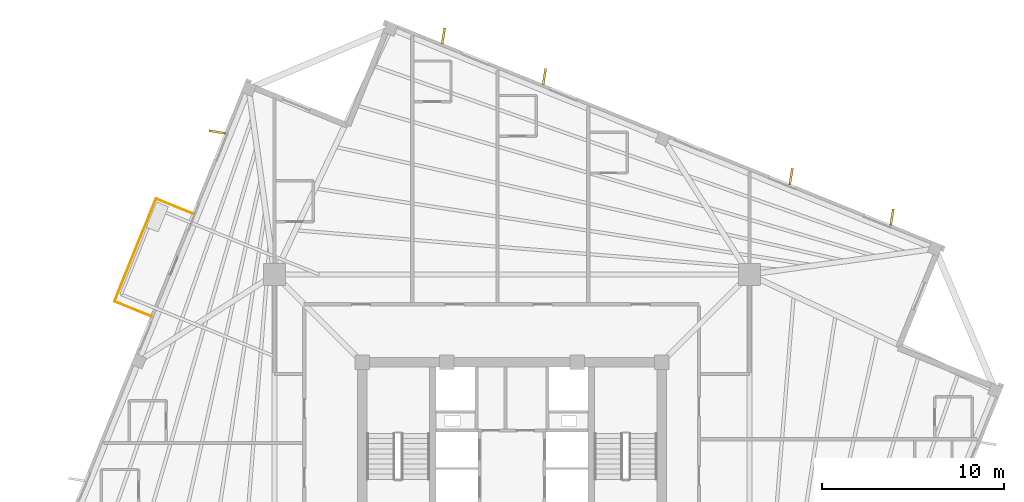
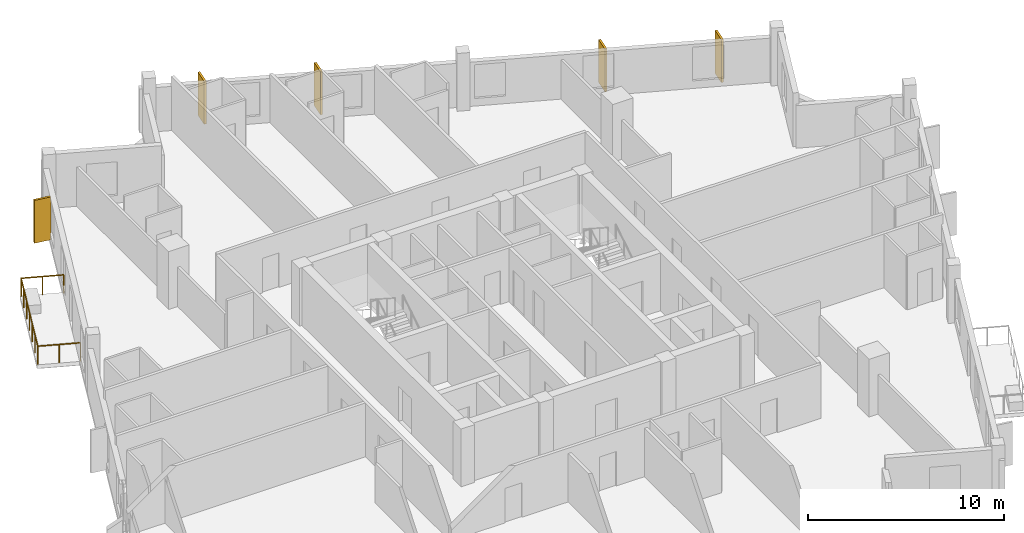
# One storey, part 9 of 9: 5 coverings, 3 railings.
"""IFC4 building model written with IfcOpenShell, lengths in metres."""

import ifcopenshell
import ifcopenshell.guid

model = None  # the IFC model being written
_history = None  # IfcOwnerHistory: only IFC2X3 demands one
_inside = {}  # id of a spatial element -> (the spatial element, [elements in it])
_under = {}  # id of a project, library or spatial element -> (it, [spatial elements below it])
_declared = {}  # id of a project -> (the project, [libraries it declares])
_typed = {}  # id of a type object -> (the type object, [elements of that type])
_made_of = {}  # id of a material, layer set ... -> (it, [elements and type objects made of it])


def new_model(schema):
    """Start an empty IFC model of exactly this schema.

    Asked for "IFC4X3", IfcOpenShell would pick the latest addendum, in which some entities
    have other attributes; the version numbers below select the first issue.
    IFC2X3 requires an IfcOwnerHistory on every rooted entity: one is made here for all.
    """
    global model, _history
    if schema == "IFC4X3":
        model = ifcopenshell.file(schema_version=(4, 3, 0, 0))
    else:
        model = ifcopenshell.file(schema=schema)
    _inside.clear()
    _under.clear()
    _declared.clear()
    _typed.clear()
    _made_of.clear()
    _history = None
    if model.schema == "IFC2X3":
        org = make("IfcOrganization", Name="unknown")
        user = make(
            "IfcPersonAndOrganization",
            ThePerson=make("IfcPerson", FamilyName="unknown"),
            TheOrganization=org,
        )
        app = make(
            "IfcApplication",
            ApplicationDeveloper=org,
            Version="unknown",
            ApplicationFullName="unknown",
            ApplicationIdentifier="unknown",
        )
        _history = make(
            "IfcOwnerHistory",
            OwningUser=user,
            OwningApplication=app,
            ChangeAction="ADDED",
            CreationDate=0,
        )
    return model


def make(cls, **values):
    """One entity of the class cls with the attributes given. An attribute that is None is left unset."""
    return model.create_entity(
        cls, **{name: value for name, value in values.items() if value is not None}
    )


def rooted(cls, **values):
    """An entity with a GlobalId (a new one), such as an element, a storey or a relation."""
    return make(cls, GlobalId=ifcopenshell.guid.new(), OwnerHistory=_history, **values)


def si_unit(unit_type, name, prefix=None):
    """IfcSIUnit, for example si_unit("LENGTHUNIT", "METRE", prefix="MILLI")."""
    return make("IfcSIUnit", UnitType=unit_type, Prefix=prefix, Name=name)


def assignment(units):
    """IfcUnitAssignment: the units of a project."""
    return None if units is None else make("IfcUnitAssignment", Units=units)


def point(xyz):
    """IfcCartesianPoint."""
    return None if xyz is None else make("IfcCartesianPoint", Coordinates=xyz)


def direction(xyz):
    """IfcDirection."""
    return None if xyz is None else make("IfcDirection", DirectionRatios=xyz)


def frame(location, z_axis=None, x_axis=None):
    """IfcAxis2Placement3D, a coordinate frame: its origin and axes. An axis left out is left unset."""
    return make(
        "IfcAxis2Placement3D",
        Location=point(location),
        Axis=direction(z_axis),
        RefDirection=direction(x_axis),
    )


def frame_2d(location, x_axis=None):
    """IfcAxis2Placement2D, a coordinate frame in the plane: its origin and x axis."""
    return make(
        "IfcAxis2Placement2D", Location=point(location), RefDirection=direction(x_axis)
    )


def origin():
    """The frame at (0, 0, 0) with its axes left unset."""
    return frame((0.0, 0.0, 0.0))


def origin_2d():
    """The frame at (0, 0) in the plane with its x axis left unset."""
    return frame_2d((0.0, 0.0))


def place(relative_to, where):
    """IfcLocalPlacement: puts the frame where relative to a parent placement (None: the world)."""
    return make(
        "IfcLocalPlacement", PlacementRelTo=relative_to, RelativePlacement=where
    )


def context(
    kind, dimensions, precision=None, world=None, true_north=None, identifier=None
):
    """IfcGeometricRepresentationContext, for example the 3D "Model" context."""
    return make(
        "IfcGeometricRepresentationContext",
        ContextIdentifier=identifier,
        ContextType=kind,
        CoordinateSpaceDimension=dimensions,
        Precision=precision,
        WorldCoordinateSystem=world,
        TrueNorth=true_north,
    )


def subcontext(parent, identifier, kind, view, scale=None):
    """IfcGeometricRepresentationSubContext, for example "Body" below "Model"."""
    return make(
        "IfcGeometricRepresentationSubContext",
        ContextIdentifier=identifier,
        ContextType=kind,
        ParentContext=parent,
        TargetScale=scale,
        TargetView=view,
    )


def project(units=None, contexts=None):
    """IfcProject with its units and contexts."""
    return rooted(
        "IfcProject",
        Name="project",
        RepresentationContexts=contexts,
        UnitsInContext=assignment(units),
    )


def spatial(cls, under=None, at=None, **own):
    """A site, building, storey or space (cls), placed at a placement, below another one or the project."""
    s = rooted(cls, ObjectPlacement=at, **own)
    if under is not None:
        _under.setdefault(under.id(), (under, []))[1].append(s)
    return s


def profile(cls, at=None, kind="AREA", **sizes):
    """A parametric profile (cls). Its sizes go by their IFC names, for example OverallWidth=200.0."""
    return make(cls, ProfileType=kind, Position=at, **sizes)


def rectangle(**sizes):
    """IfcRectangleProfileDef."""
    return profile("IfcRectangleProfileDef", **sizes)


def circle(**sizes):
    """IfcCircleProfileDef."""
    return profile("IfcCircleProfileDef", **sizes)


def extrude(swept, where, along, depth):
    """IfcExtrudedAreaSolid: the profile swept, set in the frame where, extruded along a direction by depth."""
    return make(
        "IfcExtrudedAreaSolid",
        SweptArea=swept,
        Position=where,
        ExtrudedDirection=direction(along),
        Depth=depth,
    )


def shape(context_of_items, identifier, shape_type, items):
    """IfcShapeRepresentation: the items that make up one representation, for example the "Body"."""
    return make(
        "IfcShapeRepresentation",
        ContextOfItems=context_of_items,
        RepresentationIdentifier=identifier,
        RepresentationType=shape_type,
        Items=items,
    )


def source(mapping_origin, context_of_items, identifier, shape_type, items):
    """IfcRepresentationMap: a shape defined once, which mapped items show again and again."""
    return make(
        "IfcRepresentationMap",
        MappingOrigin=mapping_origin,
        MappedRepresentation=shape(context_of_items, identifier, shape_type, items),
    )


def transform(
    local_origin,
    x_axis=None,
    y_axis=None,
    z_axis=None,
    scale=None,
    scale2=None,
    scale3=None,
    uniform=True,
):
    """IfcCartesianTransformationOperator3D, or its non-uniform kind. x_axis, y_axis, z_axis: its Axis1, 2, 3."""
    if uniform:
        return make(
            "IfcCartesianTransformationOperator3D",
            Axis1=direction(x_axis),
            Axis2=direction(y_axis),
            LocalOrigin=point(local_origin),
            Scale=scale,
            Axis3=direction(z_axis),
        )
    return make(
        "IfcCartesianTransformationOperator3DnonUniform",
        Axis1=direction(x_axis),
        Axis2=direction(y_axis),
        LocalOrigin=point(local_origin),
        Scale=scale,
        Axis3=direction(z_axis),
        Scale2=scale2,
        Scale3=scale3,
    )


def mapped(mapping_source, mapping_target):
    """IfcMappedItem: shows the shape of a source again, moved by a transform."""
    return make(
        "IfcMappedItem", MappingSource=mapping_source, MappingTarget=mapping_target
    )


def material(Name=None, Category=None):
    """IfcMaterial."""
    return make("IfcMaterial", Name=Name, Category=Category)


def layer(
    of_material, thickness, ventilated=None, Name=None, Category=None, Priority=None
):
    """IfcMaterialLayer: one layer of a wall or slab, of a material (None: an air gap)."""
    return make(
        "IfcMaterialLayer",
        Material=of_material,
        LayerThickness=thickness,
        IsVentilated=ventilated,
        Name=Name,
        Category=Category,
        Priority=Priority,
    )


def layer_set(layers, Name=None):
    """IfcMaterialLayerSet."""
    return make("IfcMaterialLayerSet", MaterialLayers=layers, LayerSetName=Name)


def made_of(thing, what):
    """Note that an element or type object is made of a material, layer set ...; save() writes the relation."""
    if what is not None:
        _made_of.setdefault(what.id(), (what, []))[1].append(thing)
    return thing


def type_object(cls, material=None, **own):
    """A type object (cls), such as IfcWallType, which elements share."""
    return made_of(rooted(cls, **own), material)


def element(
    cls,
    number,
    at=None,
    inside=None,
    cuts=None,
    type_object=None,
    material=None,
    context=None,
    identifier="Body",
    shape_type=None,
    held_by="IfcProductDefinitionShape",
    body=None,
    shapes=None,
    **own,
):
    """One element of the class cls, such as IfcWall. Its Tag is "e" and its number.

    at: its placement. inside: the storey or other place that contains it. cuts: it is an
    opening in that element (IfcRelVoidsElement). A single representation is given by context,
    identifier, shape_type and body (its items); several are given by shapes. held_by: the class
    of the entity that holds the representations. save() writes the other relations.
    """
    e = rooted(cls, Tag="e%d" % number, ObjectPlacement=at, **own)
    if body is not None:
        shapes = [shape(context, identifier, shape_type, body)]
    if shapes is not None:
        e.Representation = make(held_by, Representations=shapes)
    if inside is not None:
        _inside.setdefault(inside.id(), (inside, []))[1].append(e)
    if cuts is not None:
        rooted(
            "IfcRelVoidsElement", RelatingBuildingElement=cuts, RelatedOpeningElement=e
        )
    if type_object is not None:
        _typed.setdefault(type_object.id(), (type_object, []))[1].append(e)
    return made_of(e, material)


def aggregate(whole, parts):
    """IfcRelAggregates: a whole, such as a stair, and the parts it consists of."""
    return rooted("IfcRelAggregates", RelatingObject=whole, RelatedObjects=parts)


def save(model, path):
    """Write the relations noted so far, then the file.

    IfcRelAggregates (storeys below a building ...), IfcRelContainedInSpatialStructure (elements
    in a storey), IfcRelDefinesByType, IfcRelAssociatesMaterial and IfcRelDeclares: one each for
    every whole, place, type object, material and project.
    """
    for whole, parts in _under.values():
        aggregate(whole, parts)
    for where, things in _inside.values():
        rooted(
            "IfcRelContainedInSpatialStructure",
            RelatedElements=things,
            RelatingStructure=where,
        )
    for kind, things in _typed.values():
        rooted("IfcRelDefinesByType", RelatedObjects=things, RelatingType=kind)
    for what, things in _made_of.values():
        rooted("IfcRelAssociatesMaterial", RelatedObjects=things, RelatingMaterial=what)
    for by, libraries in _declared.values():
        rooted("IfcRelDeclares", RelatingContext=by, RelatedDefinitions=libraries)
    model.write(path)


model = new_model("IFC4")

# Units and contexts
model_context = context("Model", 3, precision=1e-05, world=origin(), true_north=direction((0.0, 1.0)))
body_context = subcontext(model_context, "Body", "Model", "MODEL_VIEW")
ifc_project = project(units=[si_unit("LENGTHUNIT", "METRE"), si_unit("AREAUNIT", "SQUARE_METRE"), si_unit("VOLUMEUNIT", "CUBIC_METRE"), si_unit("PLANEANGLEUNIT", "RADIAN"), si_unit("MASSUNIT", "GRAM", prefix="KILO"), si_unit("THERMODYNAMICTEMPERATUREUNIT", "KELVIN")], contexts=[model_context])

# Site, building, storey
site_placement = place(None, origin())
site = spatial("IfcSite", under=ifc_project, at=site_placement, CompositionType="ELEMENT")
building_placement = place(site_placement, origin())
building = spatial("IfcBuilding", under=site, at=building_placement, Name="Kosmvard Interchange Tower", CompositionType="ELEMENT")
storey_placement = place(building_placement, frame((0.0, 0.0, 283.199951171875)))
storey = spatial("IfcBuildingStorey", under=building, at=storey_placement, Name="L69", CompositionType="ELEMENT", Elevation=283.199951171875)

# Railing
ifc_material_1 = material(Name="Steel S355", Category="steel")
railing_type = type_object("IfcRailingType", Name="Observation & Balcony Glass-Infill Balustrade 1150", PredefinedType="BALUSTRADE", material=ifc_material_1)
shared_shape_1 = source(origin(), body_context, "Body", "SweptSolid", [
    extrude(circle(Radius=0.02392578125, at=origin_2d()), frame((0.0, 0.0, 1.1259765625), z_axis=(-0.927208487558, 0.374545618852, 0.0), x_axis=(-0.374545618852, -0.927208487558, 0.0)), (0.0, 0.0, 1.0), 2.199951171875),
    extrude(circle(Radius=0.02099609375, at=origin_2d()), origin(), (0.0, 0.0, 1.0), 1.101806640625),
    extrude(circle(Radius=0.02099609375, at=origin_2d()), frame((-1.02001953125, 0.412109375, 0.0)), (0.0, 0.0, 1.0), 1.101806640625),
    extrude(circle(Radius=0.02099609375, at=origin_2d()), frame((-2.039794921875, 0.823974609375, 0.0)), (0.0, 0.0, 1.0), 1.101806640625),
])
railing_1_placement = place(storey_placement, frame((-17.574951171875, 16.43017578125, 0.0)))
element("IfcRailing", 1, at=railing_1_placement, inside=storey, type_object=railing_type, Name="L69 Outdoor Terrace Guard BAL-L69-N-A", PredefinedType="BALUSTRADE", context=body_context, shape_type="MappedRepresentation", body=[
    mapped(shared_shape_1, transform((0.0, 0.0, 0.0), scale=1.0)),
])

# Coverings
ifc_material_2 = material(Name="Architectural anodised aluminium", Category="aluminium")
ifc_layer = layer(ifc_material_2, 0.1201171875, Name="Architectural anodised aluminium")
ifc_layer_set = layer_set([ifc_layer], Name="Architectural anodised aluminium")
covering_type = type_object("IfcCoveringType", Name="Rotating Vertical Sun-Breaker Fin 900x120 Aluminium", PredefinedType="CLADDING", material=ifc_layer_set)
shared_shape_2 = source(origin(), body_context, "Body", "SweptSolid", [
    extrude(rectangle(XDim=0.89990234375, YDim=0.1201171875, at=origin_2d()), origin(), (0.0, 0.0, 1.0), 2.669921875),
])
for number, where, z_axis, x_axis, name in (
    (2, (20.932373046875, 16.2412109375, 0.0400390625), (0.0, 0.0, 1.0), (0.159019688023, 0.987275411839, 0.0), "L69 Rotating Vertical Sun-Breaker Fin 04"),
    (3, (15.373046875, 18.4873046875, 0.0400390625), (0.0, 0.0, 1.0), (0.159019688023, 0.987275411839, 0.0), "L69 Rotating Vertical Sun-Breaker Fin 05"),
    (4, (1.783935546875, 23.977783203125, 0.0400390625), (0.0, 0.0, 1.0), (0.159019688023, 0.987275411839, 0.0), "L69 Rotating Vertical Sun-Breaker Fin 06"),
    (5, (-3.775390625, 26.223876953125, 0.0400390625), (0.0, 0.0, 1.0), (0.159019688023, 0.987275411839, 0.0), "L69 Rotating Vertical Sun-Breaker Fin 07"),
    (6, (-16.2412109375, 20.932373046875, 0.0400390625), (0.0, 0.0, 1.0), (-0.987275411839, 0.159019688023, 0.0), "L69 Rotating Vertical Sun-Breaker Fin 08"),
):
    element("IfcCovering", number, at=place(storey_placement, frame(where, z_axis=z_axis, x_axis=x_axis)), inside=storey, type_object=covering_type, Name=name, PredefinedType="CLADDING", context=body_context, shape_type="MappedRepresentation", body=[
        mapped(shared_shape_2, transform((0.0, 0.0, 0.0), scale=1.0)),
    ])

# Railings
shared_shape_3 = source(origin(), body_context, "Body", "SweptSolid", [
    extrude(circle(Radius=0.02392578125, at=origin_2d()), frame((0.0, 0.0, 1.1259765625), z_axis=(-0.374617894384, -0.927179288599, 0.0), x_axis=(0.927179288599, -0.374617894384, 0.0)), (0.0, 0.0, 1.0), 6.099853515625),
    extrude(circle(Radius=0.02099609375, at=origin_2d()), origin(), (0.0, 0.0, 1.0), 1.101806640625),
    extrude(circle(Radius=0.02099609375, at=origin_2d()), frame((-0.380859375, -0.942626953125, 0.0)), (0.0, 0.0, 1.0), 1.101806640625),
    extrude(circle(Radius=0.02099609375, at=origin_2d()), frame((-0.76171875, -1.88525390625, 0.0)), (0.0, 0.0, 1.0), 1.101806640625),
    extrude(circle(Radius=0.02099609375, at=origin_2d()), frame((-1.142578125, -2.827880859375, 0.0)), (0.0, 0.0, 1.0), 1.101806640625),
    extrude(circle(Radius=0.02099609375, at=origin_2d()), frame((-1.5234375, -3.7705078125, 0.0)), (0.0, 0.0, 1.0), 1.101806640625),
    extrude(circle(Radius=0.02099609375, at=origin_2d()), frame((-1.904296875, -4.713134765625, 0.0)), (0.0, 0.0, 1.0), 1.101806640625),
    extrude(circle(Radius=0.02099609375, at=origin_2d()), frame((-2.28515625, -5.65576171875, 0.0)), (0.0, 0.0, 1.0), 1.101806640625),
])
railing_2_placement = place(storey_placement, frame((-19.61474609375, 17.254150390625, 0.0)))
element("IfcRailing", 7, at=railing_2_placement, inside=storey, type_object=railing_type, Name="L69 Outdoor Terrace Guard BAL-L69-N-B", PredefinedType="BALUSTRADE", context=body_context, shape_type="MappedRepresentation", body=[
    mapped(shared_shape_3, transform((0.0, 0.0, 0.0), scale=1.0)),
])
shared_shape_4 = source(origin(), body_context, "Body", "SweptSolid", [
    extrude(circle(Radius=0.02392578125, at=origin_2d()), frame((0.0, 0.0, 1.1259765625), z_axis=(0.927169944131, -0.374641021112, 0.0), x_axis=(0.374641021112, 0.927169944131, 0.0)), (0.0, 0.0, 1.0), 2.199951171875),
    extrude(circle(Radius=0.02099609375, at=origin_2d()), origin(), (0.0, 0.0, 1.0), 1.101806640625),
    extrude(circle(Radius=0.02099609375, at=origin_2d()), frame((1.02001953125, -0.412109375, 0.0)), (0.0, 0.0, 1.0), 1.101806640625),
    extrude(circle(Radius=0.02099609375, at=origin_2d()), frame((2.039794921875, -0.82421875, 0.0)), (0.0, 0.0, 1.0), 1.101806640625),
])
railing_3_placement = place(storey_placement, frame((-21.89990234375, 11.598388671875, 0.0)))
element("IfcRailing", 8, at=railing_3_placement, inside=storey, type_object=railing_type, Name="L69 Outdoor Terrace Guard BAL-L69-N-C", PredefinedType="BALUSTRADE", context=body_context, shape_type="MappedRepresentation", body=[
    mapped(shared_shape_4, transform((0.0, 0.0, 0.0), scale=1.0)),
])

save(model, "model.ifc")
